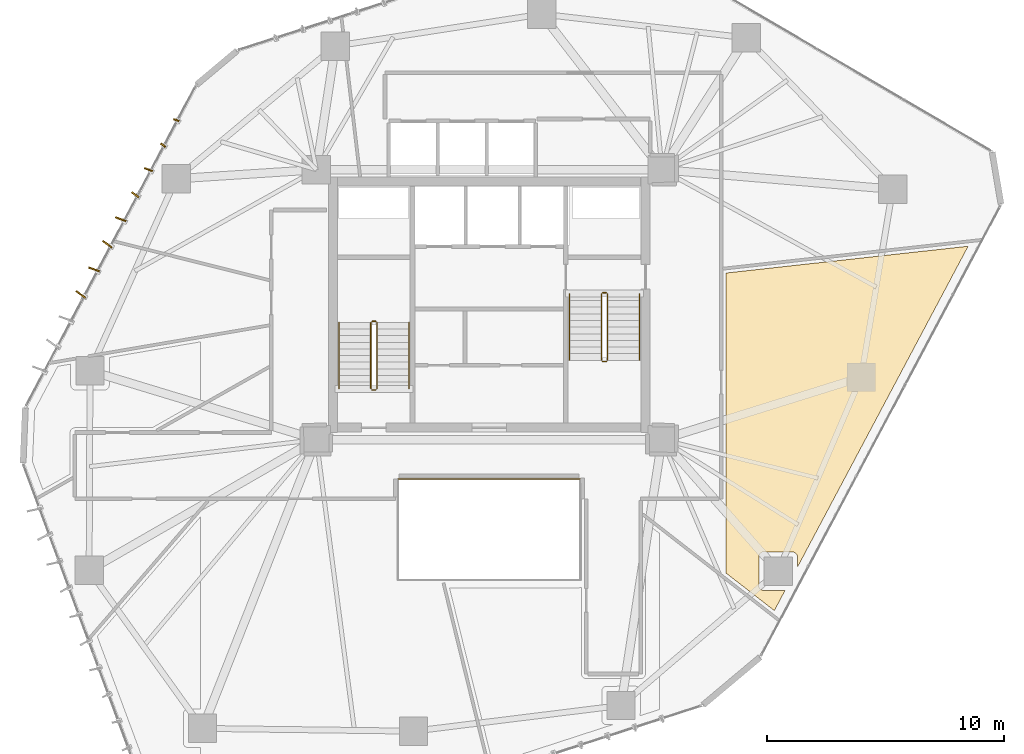
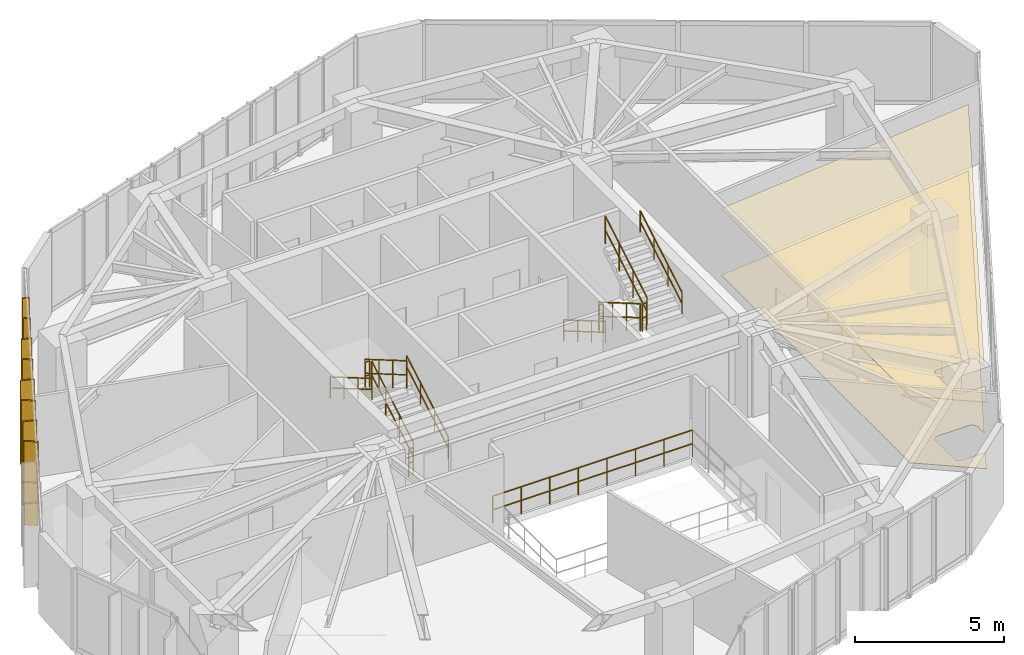
# One storey, part 20 of 21: 13 railings, 8 shading devices, 2 coverings.
"""IFC4 building model written with IfcOpenShell, lengths in metres."""

from ifc_helpers import new_model, si_unit, direction, frame, origin, origin_2d, place, context, subcontext, project, spatial, polyline, rectangle, circle, outline, extrude, source, transform, mapped, material, layer, layer_set, type_object, type_shapes, element, save


model = new_model("IFC4")

# Units and contexts
model_context = context("Model", 3, precision=1e-05, world=origin(), true_north=direction((0.0, 1.0)))
body_context = subcontext(model_context, "Body", "Model", "MODEL_VIEW")
ifc_project = project(units=[si_unit("LENGTHUNIT", "METRE"), si_unit("AREAUNIT", "SQUARE_METRE"), si_unit("VOLUMEUNIT", "CUBIC_METRE"), si_unit("PLANEANGLEUNIT", "RADIAN"), si_unit("MASSUNIT", "GRAM", prefix="KILO")], contexts=[model_context])

# Site, building, storey
site_placement = place(None, origin())
site = spatial("IfcSite", under=ifc_project, at=site_placement, CompositionType="ELEMENT")
building_placement = place(site_placement, origin())
building = spatial("IfcBuilding", under=site, at=building_placement, Name="Talar Marvaseh", CompositionType="ELEMENT")
storey_placement = place(building_placement, frame((0.0, 0.0, 143.39990234375)))
storey = spatial("IfcBuildingStorey", under=building, at=storey_placement, Name="L37", CompositionType="ELEMENT", Elevation=143.39990234375)

# Railings
ifc_material_1 = material(Name="Stainless Steel Grade 316", Category="steel")
railing_type_1 = type_object("IfcRailingType", Name="Brushed Stainless Wall Pitch Handrail 900", PredefinedType="HANDRAIL", material=ifc_material_1)
railing_1_placement = place(storey_placement, frame((22.610107421875, 27.64990234375, 0.163818359375)))
element("IfcRailing", 1, at=railing_1_placement, inside=storey, type_object=railing_type_1, Name="L37 ST-1 stair handrail 1", PredefinedType="HANDRAIL", context=body_context, shape_type="SweptSolid", body=[
    extrude(circle(Radius=0.02392578125, at=origin_2d()), frame((0.0, 0.0, 0.8759765625), z_axis=(0.0, 0.863393664356, 0.504530851732), x_axis=(-1.0, 0.0, 0.0)), (0.0, 0.0, 1.0), 3.2431640625),
    extrude(circle(Radius=0.02392578125, at=origin_2d()), frame((0.0, 0.0, 0.42578125), z_axis=(0.0, 0.863393664356, 0.504530851732), x_axis=(-1.0, 0.0, 0.0)), (0.0, 0.0, 1.0), 3.2431640625),
    extrude(circle(Radius=0.02099609375, at=origin_2d()), origin(), (0.0, 0.0, 1.0), 0.851806640625),
    extrude(circle(Radius=0.02099609375, at=origin_2d()), frame((0.0, 0.933349609375, 0.54541015625)), (0.0, 0.0, 1.0), 0.851806640625),
    extrude(circle(Radius=0.02099609375, at=origin_2d()), frame((0.0, 1.86669921875, 1.0908203125)), (0.0, 0.0, 1.0), 0.851806640625),
    extrude(circle(Radius=0.02099609375, at=origin_2d()), frame((0.0, 2.800048828125, 1.63623046875)), (0.0, 0.0, 1.0), 0.851806640625),
])
railing_2_placement = place(storey_placement, frame((19.64990234375, 30.449951171875, 1.963623046875)))
element("IfcRailing", 2, at=railing_2_placement, inside=storey, type_object=railing_type_1, Name="L37 ST-1 stair handrail 2", PredefinedType="HANDRAIL", context=body_context, shape_type="SweptSolid", body=[
    extrude(circle(Radius=0.02392578125, at=origin_2d()), frame((0.0, 0.0, 0.8759765625), z_axis=(0.0, -0.863360870873, 0.504586966384), x_axis=(1.0, 0.0, 0.0)), (0.0, 0.0, 1.0), 3.2431640625),
    extrude(circle(Radius=0.02392578125, at=origin_2d()), frame((0.0, 0.0, 0.42578125), z_axis=(0.0, -0.863360870873, 0.504586966384), x_axis=(1.0, 0.0, 0.0)), (0.0, 0.0, 1.0), 3.2431640625),
    extrude(circle(Radius=0.02099609375, at=origin_2d()), origin(), (0.0, 0.0, 1.0), 0.851806640625),
    extrude(circle(Radius=0.02099609375, at=origin_2d()), frame((0.0, -0.933349609375, 0.54541015625)), (0.0, 0.0, 1.0), 0.851806640625),
    extrude(circle(Radius=0.02099609375, at=origin_2d()), frame((0.0, -1.86669921875, 1.091064453125)), (0.0, 0.0, 1.0), 0.851806640625),
    extrude(circle(Radius=0.02099609375, at=origin_2d()), frame((0.0, -2.800048828125, 1.636474609375)), (0.0, 0.0, 1.0), 0.851806640625),
])
railing_3_placement = place(storey_placement, frame((29.389892578125, 31.64990234375, 0.163818359375)))
element("IfcRailing", 3, at=railing_3_placement, inside=storey, type_object=railing_type_1, Name="L37 ST-2 stair handrail 1", PredefinedType="HANDRAIL", context=body_context, shape_type="SweptSolid", body=[
    extrude(circle(Radius=0.02392578125, at=origin_2d()), frame((0.0, 0.0, 0.8759765625), z_axis=(0.0, -0.863374499697, 0.504563646405), x_axis=(1.0, 0.0, 0.0)), (0.0, 0.0, 1.0), 3.242919921875),
    extrude(circle(Radius=0.02392578125, at=origin_2d()), frame((0.0, 0.0, 0.42578125), z_axis=(0.0, -0.863374499697, 0.504563646405), x_axis=(1.0, 0.0, 0.0)), (0.0, 0.0, 1.0), 3.242919921875),
    extrude(circle(Radius=0.02099609375, at=origin_2d()), origin(), (0.0, 0.0, 1.0), 0.851806640625),
    extrude(circle(Radius=0.02099609375, at=origin_2d()), frame((0.0, -0.933349609375, 0.54541015625)), (0.0, 0.0, 1.0), 0.851806640625),
    extrude(circle(Radius=0.02099609375, at=origin_2d()), frame((0.0, -1.866455078125, 1.0908203125)), (0.0, 0.0, 1.0), 0.851806640625),
    extrude(circle(Radius=0.02099609375, at=origin_2d()), frame((0.0, -2.7998046875, 1.63623046875)), (0.0, 0.0, 1.0), 0.851806640625),
])
railing_4_placement = place(storey_placement, frame((32.35009765625, 28.85009765625, 1.963623046875)))
element("IfcRailing", 4, at=railing_4_placement, inside=storey, type_object=railing_type_1, Name="L37 ST-2 stair handrail 2", PredefinedType="HANDRAIL", context=body_context, shape_type="SweptSolid", body=[
    extrude(circle(Radius=0.02392578125, at=origin_2d()), frame((0.0, 0.0, 0.8759765625), z_axis=(0.0, 0.863341702679, 0.504619762213), x_axis=(-1.0, 0.0, 0.0)), (0.0, 0.0, 1.0), 3.242919921875),
    extrude(circle(Radius=0.02392578125, at=origin_2d()), frame((0.0, 0.0, 0.42578125), z_axis=(0.0, 0.863341702679, 0.504619762213), x_axis=(-1.0, 0.0, 0.0)), (0.0, 0.0, 1.0), 3.242919921875),
    extrude(circle(Radius=0.02099609375, at=origin_2d()), origin(), (0.0, 0.0, 1.0), 0.851806640625),
    extrude(circle(Radius=0.02099609375, at=origin_2d()), frame((0.0, 0.933349609375, 0.54541015625)), (0.0, 0.0, 1.0), 0.851806640625),
    extrude(circle(Radius=0.02099609375, at=origin_2d()), frame((0.0, 1.866455078125, 1.091064453125)), (0.0, 0.0, 1.0), 0.851806640625),
    extrude(circle(Radius=0.02099609375, at=origin_2d()), frame((0.0, 2.7998046875, 1.636474609375)), (0.0, 0.0, 1.0), 0.851806640625),
])
ifc_material_2 = material(Name="Tempered Clear Glass", Category="glass")
railing_type_2 = type_object("IfcRailingType", Name="Interior Atrium Edge Balustrade 1120", PredefinedType="BALUSTRADE", material=ifc_material_2)
railing_5_placement = place(storey_placement, frame((29.8701171875, 23.838623046875, 0.0)))
element("IfcRailing", 5, at=railing_5_placement, inside=storey, type_object=railing_type_2, Name="L37 Internal Daylight Atrium Balustrade 3", PredefinedType="BALUSTRADE", context=body_context, shape_type="SweptSolid", body=[
    extrude(circle(Radius=0.02392578125, at=origin_2d()), frame((0.0, 0.0, 1.09619140625), z_axis=(-1.0, 0.0, 0.0), x_axis=(0.0, -1.0, 0.0)), (0.0, 0.0, 1.0), 7.740234375),
    extrude(circle(Radius=0.02392578125, at=origin_2d()), frame((0.0, 0.0, 0.5361328125), z_axis=(-1.0, 0.0, 0.0), x_axis=(0.0, -1.0, 0.0)), (0.0, 0.0, 1.0), 7.740234375),
    extrude(circle(Radius=0.02099609375, at=origin_2d()), origin(), (0.0, 0.0, 1.0), 1.072021484375),
    extrude(circle(Radius=0.02099609375, at=origin_2d()), frame((-1.105712890625, 0.0, 0.0)), (0.0, 0.0, 1.0), 1.072021484375),
    extrude(circle(Radius=0.02099609375, at=origin_2d()), frame((-2.21142578125, 0.0, 0.0)), (0.0, 0.0, 1.0), 1.072021484375),
    extrude(circle(Radius=0.02099609375, at=origin_2d()), frame((-3.317138671875, 0.0, 0.0)), (0.0, 0.0, 1.0), 1.072021484375),
    extrude(circle(Radius=0.02099609375, at=origin_2d()), frame((-4.423095703125, 0.0, 0.0)), (0.0, 0.0, 1.0), 1.072021484375),
    extrude(circle(Radius=0.02099609375, at=origin_2d()), frame((-5.52880859375, 0.0, 0.0)), (0.0, 0.0, 1.0), 1.072021484375),
    extrude(circle(Radius=0.02099609375, at=origin_2d()), frame((-6.634521484375, 0.0, 0.0)), (0.0, 0.0, 1.0), 1.072021484375),
    extrude(circle(Radius=0.02099609375, at=origin_2d()), frame((-7.740234375, 0.0, 0.0)), (0.0, 0.0, 1.0), 1.072021484375),
])
railing_type_3 = type_object("IfcRailingType", Name="Painted Steel Core Stair Well Guardrail 1150", PredefinedType="GUARDRAIL", material=ifc_material_1)
railing_6_placement = place(storey_placement, frame((21.260009765625, 27.64990234375, 0.163818359375)))
element("IfcRailing", 6, at=railing_6_placement, inside=storey, type_object=railing_type_3, Name="L37 ST-1 stair guard 1", PredefinedType="GUARDRAIL", context=body_context, shape_type="SweptSolid", body=[
    extrude(circle(Radius=0.02392578125, at=origin_2d()), frame((0.0, 0.0, 1.1259765625), z_axis=(0.0, 0.863393664356, 0.504530851732), x_axis=(-1.0, 0.0, 0.0)), (0.0, 0.0, 1.0), 3.2431640625),
    extrude(circle(Radius=0.02392578125, at=origin_2d()), frame((0.0, 0.0, 0.55078125), z_axis=(0.0, 0.863393664356, 0.504530851732), x_axis=(-1.0, 0.0, 0.0)), (0.0, 0.0, 1.0), 3.2431640625),
    extrude(circle(Radius=0.02099609375, at=origin_2d()), origin(), (0.0, 0.0, 1.0), 1.101806640625),
    extrude(circle(Radius=0.02099609375, at=origin_2d()), frame((0.0, 0.933349609375, 0.54541015625)), (0.0, 0.0, 1.0), 1.101806640625),
    extrude(circle(Radius=0.02099609375, at=origin_2d()), frame((0.0, 1.86669921875, 1.0908203125)), (0.0, 0.0, 1.0), 1.101806640625),
    extrude(circle(Radius=0.02099609375, at=origin_2d()), frame((0.0, 2.800048828125, 1.63623046875)), (0.0, 0.0, 1.0), 1.101806640625),
])
railing_7_placement = place(storey_placement, frame((21.2099609375, 30.5, 1.800048828125)))
element("IfcRailing", 7, at=railing_7_placement, inside=storey, type_object=railing_type_3, Name="L37 ST-1 stair guard 2", PredefinedType="GUARDRAIL", context=body_context, shape_type="SweptSolid", body=[
    extrude(circle(Radius=0.02392578125, at=origin_2d()), frame((0.0, 0.0, 1.1259765625), z_axis=(-1.0, 0.0, 0.0), x_axis=(0.0, -1.0, 0.0)), (0.0, 0.0, 1.0), 0.159912109375),
    extrude(circle(Radius=0.02392578125, at=origin_2d()), frame((0.0, 0.0, 0.55078125), z_axis=(-1.0, 0.0, 0.0), x_axis=(0.0, -1.0, 0.0)), (0.0, 0.0, 1.0), 0.159912109375),
    extrude(circle(Radius=0.02099609375, at=origin_2d()), origin(), (0.0, 0.0, 1.0), 1.101806640625),
    extrude(circle(Radius=0.02099609375, at=origin_2d()), frame((-0.159912109375, 0.0, 0.0)), (0.0, 0.0, 1.0), 1.101806640625),
])
railing_8_placement = place(storey_placement, frame((21.0, 30.449951171875, 1.963623046875)))
element("IfcRailing", 8, at=railing_8_placement, inside=storey, type_object=railing_type_3, Name="L37 ST-1 stair guard 3", PredefinedType="GUARDRAIL", context=body_context, shape_type="SweptSolid", body=[
    extrude(circle(Radius=0.02392578125, at=origin_2d()), frame((0.0, 0.0, 1.1259765625), z_axis=(0.0, -0.863360870873, 0.504586966384), x_axis=(1.0, 0.0, 0.0)), (0.0, 0.0, 1.0), 3.2431640625),
    extrude(circle(Radius=0.02392578125, at=origin_2d()), frame((0.0, 0.0, 0.55078125), z_axis=(0.0, -0.863360870873, 0.504586966384), x_axis=(1.0, 0.0, 0.0)), (0.0, 0.0, 1.0), 3.2431640625),
    extrude(circle(Radius=0.02099609375, at=origin_2d()), origin(), (0.0, 0.0, 1.0), 1.101806640625),
    extrude(circle(Radius=0.02099609375, at=origin_2d()), frame((0.0, -0.933349609375, 0.54541015625)), (0.0, 0.0, 1.0), 1.101806640625),
    extrude(circle(Radius=0.02099609375, at=origin_2d()), frame((0.0, -1.86669921875, 1.091064453125)), (0.0, 0.0, 1.0), 1.101806640625),
    extrude(circle(Radius=0.02099609375, at=origin_2d()), frame((0.0, -2.800048828125, 1.636474609375)), (0.0, 0.0, 1.0), 1.101806640625),
])
railing_9_placement = place(storey_placement, frame((21.2099609375, 27.60009765625, 0.0)))
element("IfcRailing", 9, at=railing_9_placement, inside=storey, type_object=railing_type_3, Name="L37 ST-1 stair guard 4", PredefinedType="GUARDRAIL", context=body_context, shape_type="SweptSolid", body=[
    extrude(circle(Radius=0.02392578125, at=origin_2d()), frame((0.0, 0.0, 1.1259765625), z_axis=(-1.0, 0.0, 0.0), x_axis=(0.0, -1.0, 0.0)), (0.0, 0.0, 1.0), 0.159912109375),
    extrude(circle(Radius=0.02392578125, at=origin_2d()), frame((0.0, 0.0, 0.55078125), z_axis=(-1.0, 0.0, 0.0), x_axis=(0.0, -1.0, 0.0)), (0.0, 0.0, 1.0), 0.159912109375),
    extrude(circle(Radius=0.02099609375, at=origin_2d()), origin(), (0.0, 0.0, 1.0), 1.101806640625),
    extrude(circle(Radius=0.02099609375, at=origin_2d()), frame((-0.159912109375, 0.0, 0.0)), (0.0, 0.0, 1.0), 1.101806640625),
])
railing_10_placement = place(storey_placement, frame((30.739990234375, 31.64990234375, 0.163818359375)))
element("IfcRailing", 10, at=railing_10_placement, inside=storey, type_object=railing_type_3, Name="L37 ST-2 stair guard 1", PredefinedType="GUARDRAIL", context=body_context, shape_type="SweptSolid", body=[
    extrude(circle(Radius=0.02392578125, at=origin_2d()), frame((0.0, 0.0, 1.1259765625), z_axis=(0.0, -0.863374499697, 0.504563646405), x_axis=(1.0, 0.0, 0.0)), (0.0, 0.0, 1.0), 3.242919921875),
    extrude(circle(Radius=0.02392578125, at=origin_2d()), frame((0.0, 0.0, 0.55078125), z_axis=(0.0, -0.863374499697, 0.504563646405), x_axis=(1.0, 0.0, 0.0)), (0.0, 0.0, 1.0), 3.242919921875),
    extrude(circle(Radius=0.02099609375, at=origin_2d()), origin(), (0.0, 0.0, 1.0), 1.101806640625),
    extrude(circle(Radius=0.02099609375, at=origin_2d()), frame((0.0, -0.933349609375, 0.54541015625)), (0.0, 0.0, 1.0), 1.101806640625),
    extrude(circle(Radius=0.02099609375, at=origin_2d()), frame((0.0, -1.866455078125, 1.0908203125)), (0.0, 0.0, 1.0), 1.101806640625),
    extrude(circle(Radius=0.02099609375, at=origin_2d()), frame((0.0, -2.7998046875, 1.63623046875)), (0.0, 0.0, 1.0), 1.101806640625),
])
railing_11_placement = place(storey_placement, frame((30.7900390625, 28.800048828125, 1.800048828125)))
element("IfcRailing", 11, at=railing_11_placement, inside=storey, type_object=railing_type_3, Name="L37 ST-2 stair guard 2", PredefinedType="GUARDRAIL", context=body_context, shape_type="SweptSolid", body=[
    extrude(circle(Radius=0.02392578125, at=origin_2d()), frame((0.0, 0.0, 1.1259765625), z_axis=(1.0, 0.0, 0.0), x_axis=(0.0, 1.0, 0.0)), (0.0, 0.0, 1.0), 0.159912109375),
    extrude(circle(Radius=0.02392578125, at=origin_2d()), frame((0.0, 0.0, 0.55078125), z_axis=(1.0, 0.0, 0.0), x_axis=(0.0, 1.0, 0.0)), (0.0, 0.0, 1.0), 0.159912109375),
    extrude(circle(Radius=0.02099609375, at=origin_2d()), origin(), (0.0, 0.0, 1.0), 1.101806640625),
    extrude(circle(Radius=0.02099609375, at=origin_2d()), frame((0.159912109375, 0.0, 0.0)), (0.0, 0.0, 1.0), 1.101806640625),
])
railing_12_placement = place(storey_placement, frame((31.0, 28.85009765625, 1.963623046875)))
element("IfcRailing", 12, at=railing_12_placement, inside=storey, type_object=railing_type_3, Name="L37 ST-2 stair guard 3", PredefinedType="GUARDRAIL", context=body_context, shape_type="SweptSolid", body=[
    extrude(circle(Radius=0.02392578125, at=origin_2d()), frame((0.0, 0.0, 1.1259765625), z_axis=(0.0, 0.863341702679, 0.504619762213), x_axis=(-1.0, 0.0, 0.0)), (0.0, 0.0, 1.0), 3.242919921875),
    extrude(circle(Radius=0.02392578125, at=origin_2d()), frame((0.0, 0.0, 0.55078125), z_axis=(0.0, 0.863341702679, 0.504619762213), x_axis=(-1.0, 0.0, 0.0)), (0.0, 0.0, 1.0), 3.242919921875),
    extrude(circle(Radius=0.02099609375, at=origin_2d()), origin(), (0.0, 0.0, 1.0), 1.101806640625),
    extrude(circle(Radius=0.02099609375, at=origin_2d()), frame((0.0, 0.933349609375, 0.54541015625)), (0.0, 0.0, 1.0), 1.101806640625),
    extrude(circle(Radius=0.02099609375, at=origin_2d()), frame((0.0, 1.866455078125, 1.091064453125)), (0.0, 0.0, 1.0), 1.101806640625),
    extrude(circle(Radius=0.02099609375, at=origin_2d()), frame((0.0, 2.7998046875, 1.636474609375)), (0.0, 0.0, 1.0), 1.101806640625),
])
railing_13_placement = place(storey_placement, frame((30.7900390625, 31.699951171875, 0.0)))
element("IfcRailing", 13, at=railing_13_placement, inside=storey, type_object=railing_type_3, Name="L37 ST-2 stair guard 4", PredefinedType="GUARDRAIL", context=body_context, shape_type="SweptSolid", body=[
    extrude(circle(Radius=0.02392578125, at=origin_2d()), frame((0.0, 0.0, 1.1259765625), z_axis=(1.0, 0.0, 0.0), x_axis=(0.0, 1.0, 0.0)), (0.0, 0.0, 1.0), 0.159912109375),
    extrude(circle(Radius=0.02392578125, at=origin_2d()), frame((0.0, 0.0, 0.55078125), z_axis=(1.0, 0.0, 0.0), x_axis=(0.0, 1.0, 0.0)), (0.0, 0.0, 1.0), 0.159912109375),
    extrude(circle(Radius=0.02099609375, at=origin_2d()), origin(), (0.0, 0.0, 1.0), 1.101806640625),
    extrude(circle(Radius=0.02099609375, at=origin_2d()), frame((0.159912109375, 0.0, 0.0)), (0.0, 0.0, 1.0), 1.101806640625),
])

# Coverings
ifc_material_3 = material(Name="Mineral Fibre Acoustic Ceiling")
ifc_layer_1 = layer(ifc_material_3, 0.02490234375)
ifc_layer_set_1 = layer_set([ifc_layer_1], Name="Mineral Fibre Acoustic Ceiling")
covering_type_1 = type_object("IfcCoveringType", Name="Perforated Mineral Fibre Acoustic Suspended Ceiling", PredefinedType="CEILING", material=ifc_layer_set_1)
covering_1_placement = place(storey_placement, frame((0.0, 0.0, 2.72021484375)))
element("IfcCovering", 14, at=covering_1_placement, inside=storey, type_object=covering_type_1, Name="L37 Cultural Fellowship Office Acoustic Ceiling", PredefinedType="CEILING", context=body_context, shape_type="SweptSolid", body=[
    extrude(outline(polyline([(46.232666015625, 33.66748046875), (39.019287109375, 20.106201171875), (39.02099609375, 20.541748046875), (39.02001953125, 20.560302734375), (39.017578125, 20.578857421875), (39.01318359375, 20.596923828125), (39.00732421875, 20.614501953125), (39.0, 20.631591796875), (38.990966796875, 20.64794921875), (38.980224609375, 20.663330078125), (38.968505859375, 20.677490234375), (38.955078125, 20.690673828125), (38.940185546875, 20.7041015625), (38.926025390625, 20.716064453125), (38.91064453125, 20.726318359375), (38.89453125, 20.7353515625), (38.877685546875, 20.74267578125), (38.860107421875, 20.74853515625), (38.842041015625, 20.752685546875), (38.82373046875, 20.755126953125), (38.805419921875, 20.756103515625), (37.5947265625, 20.751708984375), (37.5751953125, 20.75048828125), (37.555908203125, 20.74755859375), (37.536865234375, 20.742919921875), (37.518310546875, 20.736083984375), (37.500732421875, 20.727783203125), (37.48388671875, 20.717529296875), (37.46826171875, 20.705810546875), (37.45361328125, 20.69287109375), (37.440673828125, 20.67822265625), (37.428955078125, 20.66259765625), (37.4189453125, 20.645751953125), (37.41064453125, 20.6279296875), (37.404052734375, 20.609619140625), (37.399169921875, 20.590576171875), (37.396484375, 20.5712890625), (37.3955078125, 20.551513671875), (37.3955078125, 19.330322265625), (37.396484375, 19.310791015625), (37.399169921875, 19.29150390625), (37.404052734375, 19.272216796875), (37.41064453125, 19.25390625), (37.4189453125, 19.236083984375), (37.42919921875, 19.21923828125), (37.44091796875, 19.20361328125), (37.4541015625, 19.18896484375), (37.468505859375, 19.17578125), (37.484375, 19.1640625), (37.501220703125, 19.154052734375), (37.518798828125, 19.1455078125), (37.537353515625, 19.138916015625), (37.556396484375, 19.13427734375), (37.57568359375, 19.13134765625), (37.595458984375, 19.13037109375), (38.500244140625, 19.13037109375), (38.045654296875, 18.275634765625), (36.0, 19.86376953125), (36.0, 23.0), (36.0, 32.53564453125), (46.232666015625, 33.66748046875)])), origin(), (0.0, 0.0, 1.0), 0.02490234375),
])
ifc_material_4 = material(Name="Porcelain Stoneware Tile", Category="masonry")
ifc_layer_2 = layer(ifc_material_4, 0.02001953125)
ifc_layer_set_2 = layer_set([ifc_layer_2], Name="Porcelain Stoneware Tile")
covering_type_2 = type_object("IfcCoveringType", Name="Polished Porcelain Stoneware Gallery Flooring", PredefinedType="FLOORING", material=ifc_layer_set_2)
covering_2_placement = place(storey_placement, origin())
element("IfcCovering", 15, at=covering_2_placement, inside=storey, type_object=covering_type_2, Name="L37 Cultural Fellowship Office Flooring", PredefinedType="FLOORING", context=body_context, shape_type="SweptSolid", body=[
    extrude(outline(polyline([(46.232666015625, 33.66748046875), (39.019287109375, 20.106201171875), (39.02099609375, 20.541748046875), (39.02001953125, 20.560302734375), (39.017578125, 20.578857421875), (39.01318359375, 20.596923828125), (39.00732421875, 20.614501953125), (39.0, 20.631591796875), (38.990966796875, 20.64794921875), (38.980224609375, 20.663330078125), (38.968505859375, 20.677490234375), (38.955078125, 20.690673828125), (38.940185546875, 20.7041015625), (38.926025390625, 20.716064453125), (38.91064453125, 20.726318359375), (38.89453125, 20.7353515625), (38.877685546875, 20.74267578125), (38.860107421875, 20.74853515625), (38.842041015625, 20.752685546875), (38.82373046875, 20.755126953125), (38.805419921875, 20.756103515625), (37.5947265625, 20.751708984375), (37.5751953125, 20.75048828125), (37.555908203125, 20.74755859375), (37.536865234375, 20.742919921875), (37.518310546875, 20.736083984375), (37.500732421875, 20.727783203125), (37.48388671875, 20.717529296875), (37.46826171875, 20.705810546875), (37.45361328125, 20.69287109375), (37.440673828125, 20.67822265625), (37.428955078125, 20.66259765625), (37.4189453125, 20.645751953125), (37.41064453125, 20.6279296875), (37.404052734375, 20.609619140625), (37.399169921875, 20.590576171875), (37.396484375, 20.5712890625), (37.3955078125, 20.551513671875), (37.3955078125, 19.330322265625), (37.396484375, 19.310791015625), (37.399169921875, 19.29150390625), (37.404052734375, 19.272216796875), (37.41064453125, 19.25390625), (37.4189453125, 19.236083984375), (37.42919921875, 19.21923828125), (37.44091796875, 19.20361328125), (37.4541015625, 19.18896484375), (37.468505859375, 19.17578125), (37.484375, 19.1640625), (37.501220703125, 19.154052734375), (37.518798828125, 19.1455078125), (37.537353515625, 19.138916015625), (37.556396484375, 19.13427734375), (37.57568359375, 19.13134765625), (37.595458984375, 19.13037109375), (38.500244140625, 19.13037109375), (38.045654296875, 18.275634765625), (36.0, 19.86376953125), (36.0, 23.0), (36.0, 32.53564453125), (46.232666015625, 33.66748046875)])), origin(), (0.0, 0.0, 1.0), 0.02001953125),
])

# Shading devices
ifc_material_5 = material(Name="Anodised Champagne Bronze Aluminium", Category="aluminium")
ifc_layer_3 = layer(ifc_material_5, 0.06494140625)
ifc_layer_set_3 = layer_set([ifc_layer_3], Name="Anodised Champagne Bronze Aluminium")
shading_device_type_1 = type_object("IfcShadingDeviceType", Name="Sawtooth Champagne Bronze Vertical Fin 240", PredefinedType="USERDEFINED", material=ifc_layer_set_3)
shared_shape_1 = source(origin(), body_context, "Body", "SweptSolid", [
    extrude(rectangle(XDim=0.239990234375, YDim=0.06494140625, at=origin_2d()), origin(), (0.0, 0.0, 1.0), 3.429931640625),
])
type_shapes(shading_device_type_1, [shared_shape_1])
for number, where, z_axis, x_axis, name in (
    (16, (12.2255859375, 37.93408203125, -0.11962890625), (0.0, 0.0, 1.0), (-0.809734505573, 0.586796413149, 0.0), "L37 Sawtooth Vertical Solar Fin"),
    (17, (12.78759765625, 38.994140625, -0.11962890625), (0.0, 0.0, 1.0), (-0.94010977581, 0.340871837244, 0.0), "L37 Sawtooth Vertical Solar Fin"),
):
    element("IfcShadingDevice", number, at=place(storey_placement, frame(where, z_axis=z_axis, x_axis=x_axis)), inside=storey, type_object=shading_device_type_1, Name=name, ObjectType="FIN", PredefinedType="USERDEFINED", context=body_context, shape_type="MappedRepresentation", body=[
        mapped(shared_shape_1, transform((0.0, 0.0, 0.0), x_axis=(1.0, 0.0, 0.0), y_axis=(0.0, 1.0, 0.0), z_axis=(0.0, 0.0, 1.0), scale=1.0)),
    ])
ifc_layer_4 = layer(ifc_material_5, 0.06494140625)
ifc_layer_set_4 = layer_set([ifc_layer_4], Name="Anodised Champagne Bronze Aluminium")
shading_device_type_2 = type_object("IfcShadingDeviceType", Name="Sawtooth Champagne Bronze Vertical Fin 360", PredefinedType="USERDEFINED", material=ifc_layer_set_4)
shared_shape_2 = source(origin(), body_context, "Body", "SweptSolid", [
    extrude(rectangle(XDim=0.360107421875, YDim=0.06494140625, at=origin_2d()), origin(), (0.0, 0.0, 1.0), 3.429931640625),
])
type_shapes(shading_device_type_2, [shared_shape_2])
for number, where, z_axis, x_axis, name in (
    (18, (11.04833984375, 35.841796875, -0.11962890625), (0.0, 0.0, 1.0), (-0.809734505573, 0.586796413149, 0.0), "L37 Sawtooth Vertical Solar Fin"),
    (19, (11.610595703125, 36.90185546875, -0.11962890625), (0.0, 0.0, 1.0), (-0.94010977581, 0.340871837244, 0.0), "L37 Sawtooth Vertical Solar Fin"),
):
    element("IfcShadingDevice", number, at=place(storey_placement, frame(where, z_axis=z_axis, x_axis=x_axis)), inside=storey, type_object=shading_device_type_2, Name=name, ObjectType="FIN", PredefinedType="USERDEFINED", context=body_context, shape_type="MappedRepresentation", body=[
        mapped(shared_shape_2, transform((0.0, 0.0, 0.0), x_axis=(1.0, 0.0, 0.0), y_axis=(0.0, 1.0, 0.0), z_axis=(0.0, 0.0, 1.0), scale=1.0)),
    ])
ifc_layer_5 = layer(ifc_material_5, 0.06494140625)
ifc_layer_set_5 = layer_set([ifc_layer_5], Name="Anodised Champagne Bronze Aluminium")
shading_device_type_3 = type_object("IfcShadingDeviceType", Name="Sawtooth Champagne Bronze Vertical Fin 480", PredefinedType="USERDEFINED", material=ifc_layer_set_5)
shared_shape_3 = source(origin(), body_context, "Body", "SweptSolid", [
    extrude(rectangle(XDim=0.47998046875, YDim=0.06494140625, at=origin_2d()), origin(), (0.0, 0.0, 1.0), 3.429931640625),
])
type_shapes(shading_device_type_3, [shared_shape_3])
for number, where, z_axis, x_axis, name in (
    (20, (8.746826171875, 31.62890625, -0.11962890625), (0.0, 0.0, 1.0), (-0.809734505573, 0.586796413149, 0.0), "L37 Sawtooth Vertical Solar Fin"),
    (21, (9.30908203125, 32.689208984375, -0.11962890625), (0.0, 0.0, 1.0), (-0.94010977581, 0.340871837244, 0.0), "L37 Sawtooth Vertical Solar Fin"),
    (22, (9.87109375, 33.749267578125, -0.11962890625), (0.0, 0.0, 1.0), (-0.809734505573, 0.586796413149, 0.0), "L37 Sawtooth Vertical Solar Fin"),
    (23, (10.433349609375, 34.8095703125, -0.11962890625), (0.0, 0.0, 1.0), (-0.94010977581, 0.340871837244, 0.0), "L37 Sawtooth Vertical Solar Fin"),
):
    element("IfcShadingDevice", number, at=place(storey_placement, frame(where, z_axis=z_axis, x_axis=x_axis)), inside=storey, type_object=shading_device_type_3, Name=name, ObjectType="FIN", PredefinedType="USERDEFINED", context=body_context, shape_type="MappedRepresentation", body=[
        mapped(shared_shape_3, transform((0.0, 0.0, 0.0), x_axis=(1.0, 0.0, 0.0), y_axis=(0.0, 1.0, 0.0), z_axis=(0.0, 0.0, 1.0), scale=1.0)),
    ])

save(model, "model.ifc")
